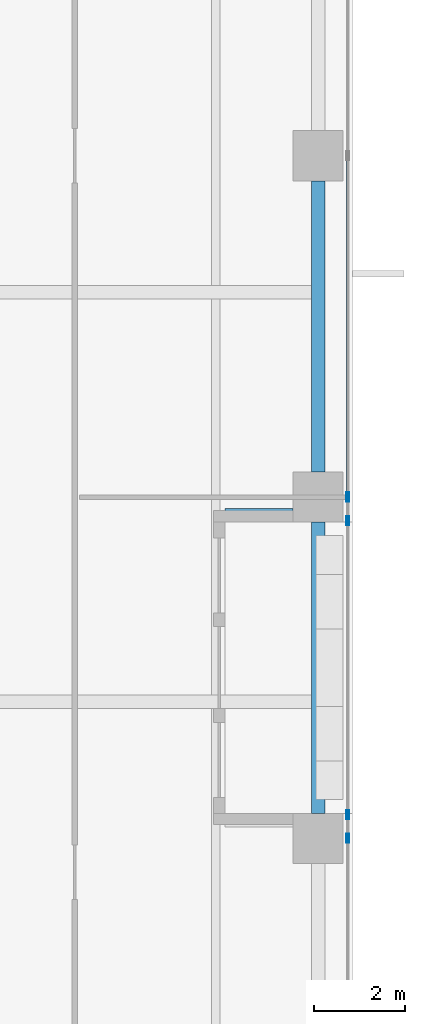
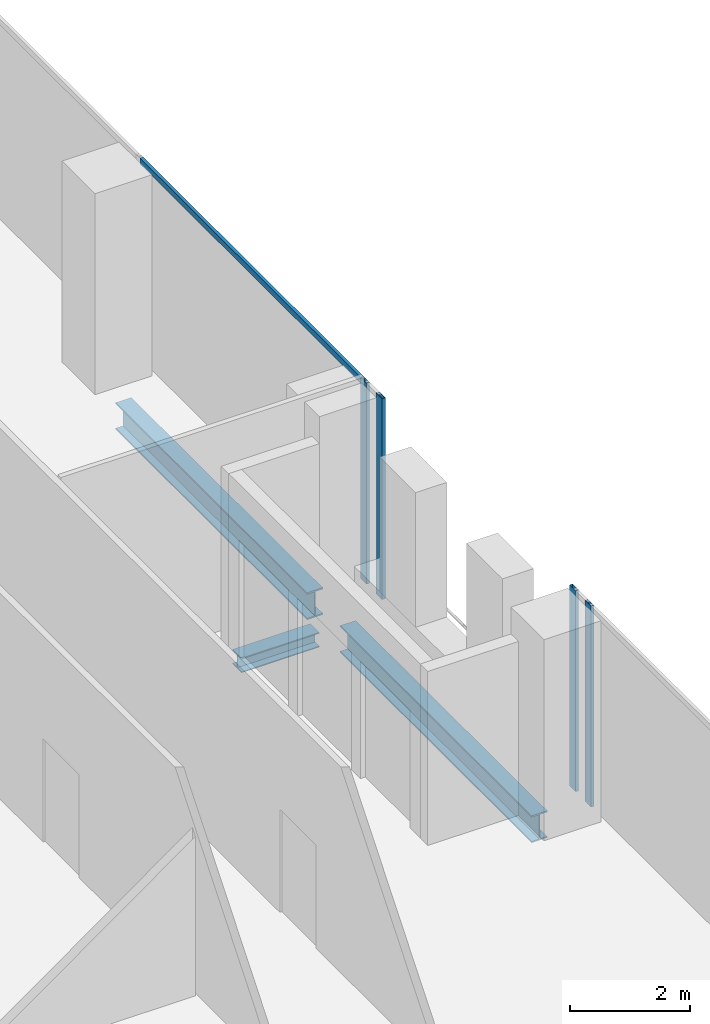
# One storey, part 13 of 34: 5 members, 3 beams, 2 elements without a shape of their own.
"""IFC4 building model written with IfcOpenShell, lengths in metres."""

import ifcopenshell
import ifcopenshell.guid

model = None  # the IFC model being written
_history = None  # IfcOwnerHistory: only IFC2X3 demands one
_inside = {}  # id of a spatial element -> (the spatial element, [elements in it])
_under = {}  # id of a project, library or spatial element -> (it, [spatial elements below it])
_declared = {}  # id of a project -> (the project, [libraries it declares])
_typed = {}  # id of a type object -> (the type object, [elements of that type])
_made_of = {}  # id of a material, layer set ... -> (it, [elements and type objects made of it])


def new_model(schema):
    """Start an empty IFC model of exactly this schema.

    Asked for "IFC4X3", IfcOpenShell would pick the latest addendum, in which some entities
    have other attributes; the version numbers below select the first issue.
    IFC2X3 requires an IfcOwnerHistory on every rooted entity: one is made here for all.
    """
    global model, _history
    if schema == "IFC4X3":
        model = ifcopenshell.file(schema_version=(4, 3, 0, 0))
    else:
        model = ifcopenshell.file(schema=schema)
    _inside.clear()
    _under.clear()
    _declared.clear()
    _typed.clear()
    _made_of.clear()
    _history = None
    if model.schema == "IFC2X3":
        org = make("IfcOrganization", Name="unknown")
        user = make(
            "IfcPersonAndOrganization",
            ThePerson=make("IfcPerson", FamilyName="unknown"),
            TheOrganization=org,
        )
        app = make(
            "IfcApplication",
            ApplicationDeveloper=org,
            Version="unknown",
            ApplicationFullName="unknown",
            ApplicationIdentifier="unknown",
        )
        _history = make(
            "IfcOwnerHistory",
            OwningUser=user,
            OwningApplication=app,
            ChangeAction="ADDED",
            CreationDate=0,
        )
    return model


def make(cls, **values):
    """One entity of the class cls with the attributes given. An attribute that is None is left unset."""
    return model.create_entity(
        cls, **{name: value for name, value in values.items() if value is not None}
    )


def rooted(cls, **values):
    """An entity with a GlobalId (a new one), such as an element, a storey or a relation."""
    return make(cls, GlobalId=ifcopenshell.guid.new(), OwnerHistory=_history, **values)


def si_unit(unit_type, name, prefix=None):
    """IfcSIUnit, for example si_unit("LENGTHUNIT", "METRE", prefix="MILLI")."""
    return make("IfcSIUnit", UnitType=unit_type, Prefix=prefix, Name=name)


def assignment(units):
    """IfcUnitAssignment: the units of a project."""
    return None if units is None else make("IfcUnitAssignment", Units=units)


def point(xyz):
    """IfcCartesianPoint."""
    return None if xyz is None else make("IfcCartesianPoint", Coordinates=xyz)


def direction(xyz):
    """IfcDirection."""
    return None if xyz is None else make("IfcDirection", DirectionRatios=xyz)


def frame(location, z_axis=None, x_axis=None):
    """IfcAxis2Placement3D, a coordinate frame: its origin and axes. An axis left out is left unset."""
    return make(
        "IfcAxis2Placement3D",
        Location=point(location),
        Axis=direction(z_axis),
        RefDirection=direction(x_axis),
    )


def frame_2d(location, x_axis=None):
    """IfcAxis2Placement2D, a coordinate frame in the plane: its origin and x axis."""
    return make(
        "IfcAxis2Placement2D", Location=point(location), RefDirection=direction(x_axis)
    )


def origin():
    """The frame at (0, 0, 0) with its axes left unset."""
    return frame((0.0, 0.0, 0.0))


def origin_2d():
    """The frame at (0, 0) in the plane with its x axis left unset."""
    return frame_2d((0.0, 0.0))


def place(relative_to, where):
    """IfcLocalPlacement: puts the frame where relative to a parent placement (None: the world)."""
    return make(
        "IfcLocalPlacement", PlacementRelTo=relative_to, RelativePlacement=where
    )


def context(
    kind, dimensions, precision=None, world=None, true_north=None, identifier=None
):
    """IfcGeometricRepresentationContext, for example the 3D "Model" context."""
    return make(
        "IfcGeometricRepresentationContext",
        ContextIdentifier=identifier,
        ContextType=kind,
        CoordinateSpaceDimension=dimensions,
        Precision=precision,
        WorldCoordinateSystem=world,
        TrueNorth=true_north,
    )


def subcontext(parent, identifier, kind, view, scale=None):
    """IfcGeometricRepresentationSubContext, for example "Body" below "Model"."""
    return make(
        "IfcGeometricRepresentationSubContext",
        ContextIdentifier=identifier,
        ContextType=kind,
        ParentContext=parent,
        TargetScale=scale,
        TargetView=view,
    )


def project(units=None, contexts=None):
    """IfcProject with its units and contexts."""
    return rooted(
        "IfcProject",
        Name="project",
        RepresentationContexts=contexts,
        UnitsInContext=assignment(units),
    )


def spatial(cls, under=None, at=None, **own):
    """A site, building, storey or space (cls), placed at a placement, below another one or the project."""
    s = rooted(cls, ObjectPlacement=at, **own)
    if under is not None:
        _under.setdefault(under.id(), (under, []))[1].append(s)
    return s


def profile(cls, at=None, kind="AREA", **sizes):
    """A parametric profile (cls). Its sizes go by their IFC names, for example OverallWidth=200.0."""
    return make(cls, ProfileType=kind, Position=at, **sizes)


def hollow_rectangle(**sizes):
    """IfcRectangleHollowProfileDef."""
    return profile("IfcRectangleHollowProfileDef", **sizes)


def i_section(**sizes):
    """IfcIShapeProfileDef."""
    return profile("IfcIShapeProfileDef", **sizes)


def extrude(swept, where, along, depth):
    """IfcExtrudedAreaSolid: the profile swept, set in the frame where, extruded along a direction by depth."""
    return make(
        "IfcExtrudedAreaSolid",
        SweptArea=swept,
        Position=where,
        ExtrudedDirection=direction(along),
        Depth=depth,
    )


def shape(context_of_items, identifier, shape_type, items):
    """IfcShapeRepresentation: the items that make up one representation, for example the "Body"."""
    return make(
        "IfcShapeRepresentation",
        ContextOfItems=context_of_items,
        RepresentationIdentifier=identifier,
        RepresentationType=shape_type,
        Items=items,
    )


def source(mapping_origin, context_of_items, identifier, shape_type, items):
    """IfcRepresentationMap: a shape defined once, which mapped items show again and again."""
    return make(
        "IfcRepresentationMap",
        MappingOrigin=mapping_origin,
        MappedRepresentation=shape(context_of_items, identifier, shape_type, items),
    )


def transform(
    local_origin,
    x_axis=None,
    y_axis=None,
    z_axis=None,
    scale=None,
    scale2=None,
    scale3=None,
    uniform=True,
):
    """IfcCartesianTransformationOperator3D, or its non-uniform kind. x_axis, y_axis, z_axis: its Axis1, 2, 3."""
    if uniform:
        return make(
            "IfcCartesianTransformationOperator3D",
            Axis1=direction(x_axis),
            Axis2=direction(y_axis),
            LocalOrigin=point(local_origin),
            Scale=scale,
            Axis3=direction(z_axis),
        )
    return make(
        "IfcCartesianTransformationOperator3DnonUniform",
        Axis1=direction(x_axis),
        Axis2=direction(y_axis),
        LocalOrigin=point(local_origin),
        Scale=scale,
        Axis3=direction(z_axis),
        Scale2=scale2,
        Scale3=scale3,
    )


def mapped(mapping_source, mapping_target):
    """IfcMappedItem: shows the shape of a source again, moved by a transform."""
    return make(
        "IfcMappedItem", MappingSource=mapping_source, MappingTarget=mapping_target
    )


def material(Name=None, Category=None):
    """IfcMaterial."""
    return make("IfcMaterial", Name=Name, Category=Category)


def material_profile(
    of_material, cross_section, Name=None, Category=None, Priority=None
):
    """IfcMaterialProfile: a cross section and its material."""
    return make(
        "IfcMaterialProfile",
        Name=Name,
        Material=of_material,
        Profile=cross_section,
        Priority=Priority,
        Category=Category,
    )


def profile_set(profiles, Name=None, composite=None):
    """IfcMaterialProfileSet."""
    return make(
        "IfcMaterialProfileSet",
        Name=Name,
        MaterialProfiles=profiles,
        CompositeProfile=composite,
    )


def made_of(thing, what):
    """Note that an element or type object is made of a material, layer set ...; save() writes the relation."""
    if what is not None:
        _made_of.setdefault(what.id(), (what, []))[1].append(thing)
    return thing


def type_object(cls, material=None, **own):
    """A type object (cls), such as IfcWallType, which elements share."""
    return made_of(rooted(cls, **own), material)


def element(
    cls,
    number,
    at=None,
    inside=None,
    cuts=None,
    type_object=None,
    material=None,
    context=None,
    identifier="Body",
    shape_type=None,
    held_by="IfcProductDefinitionShape",
    body=None,
    shapes=None,
    **own,
):
    """One element of the class cls, such as IfcWall. Its Tag is "e" and its number.

    at: its placement. inside: the storey or other place that contains it. cuts: it is an
    opening in that element (IfcRelVoidsElement). A single representation is given by context,
    identifier, shape_type and body (its items); several are given by shapes. held_by: the class
    of the entity that holds the representations. save() writes the other relations.
    """
    e = rooted(cls, Tag="e%d" % number, ObjectPlacement=at, **own)
    if body is not None:
        shapes = [shape(context, identifier, shape_type, body)]
    if shapes is not None:
        e.Representation = make(held_by, Representations=shapes)
    if inside is not None:
        _inside.setdefault(inside.id(), (inside, []))[1].append(e)
    if cuts is not None:
        rooted(
            "IfcRelVoidsElement", RelatingBuildingElement=cuts, RelatedOpeningElement=e
        )
    if type_object is not None:
        _typed.setdefault(type_object.id(), (type_object, []))[1].append(e)
    return made_of(e, material)


def aggregate(whole, parts):
    """IfcRelAggregates: a whole, such as a stair, and the parts it consists of."""
    return rooted("IfcRelAggregates", RelatingObject=whole, RelatedObjects=parts)


def save(model, path):
    """Write the relations noted so far, then the file.

    IfcRelAggregates (storeys below a building ...), IfcRelContainedInSpatialStructure (elements
    in a storey), IfcRelDefinesByType, IfcRelAssociatesMaterial and IfcRelDeclares: one each for
    every whole, place, type object, material and project.
    """
    for whole, parts in _under.values():
        aggregate(whole, parts)
    for where, things in _inside.values():
        rooted(
            "IfcRelContainedInSpatialStructure",
            RelatedElements=things,
            RelatingStructure=where,
        )
    for kind, things in _typed.values():
        rooted("IfcRelDefinesByType", RelatedObjects=things, RelatingType=kind)
    for what, things in _made_of.values():
        rooted("IfcRelAssociatesMaterial", RelatedObjects=things, RelatingMaterial=what)
    for by, libraries in _declared.values():
        rooted("IfcRelDeclares", RelatingContext=by, RelatedDefinitions=libraries)
    model.write(path)


model = new_model("IFC4")

# Units and contexts
model_context = context("Model", 3, precision=1e-05, world=origin(), true_north=direction((0.0, 1.0)))
body_context = subcontext(model_context, "Body", "Model", "MODEL_VIEW")
ifc_project = project(units=[si_unit("LENGTHUNIT", "METRE"), si_unit("AREAUNIT", "SQUARE_METRE"), si_unit("VOLUMEUNIT", "CUBIC_METRE"), si_unit("PLANEANGLEUNIT", "RADIAN"), si_unit("MASSUNIT", "GRAM", prefix="KILO")], contexts=[model_context])

# Site, building, storey
site_placement = place(None, origin())
site = spatial("IfcSite", under=ifc_project, at=site_placement, CompositionType="ELEMENT")
building_placement = place(site_placement, origin())
building = spatial("IfcBuilding", under=site, at=building_placement, Name="Khomas Fold Tower", CompositionType="ELEMENT")
storey_placement = place(building_placement, frame((0.0, 0.0, 105.89990234375)))
storey = spatial("IfcBuildingStorey", under=building, at=storey_placement, Name="L22", CompositionType="ELEMENT", Elevation=105.89990234375)

# Beams
ifc_material_1 = material(Name="Steel S355", Category="steel")
ifc_material_profile_1 = material_profile(ifc_material_1, i_section(OverallWidth=0.300048828125, OverallDepth=0.550048828125, WebThickness=0.014892578125, FlangeThickness=0.029052734375, at=origin_2d()), Name="HE 550 B")
ifc_profile_set_1 = profile_set([ifc_material_profile_1], Name="Steel S355")
beam_type_1 = type_object("IfcBeamType", Name="HE 550 B spandrel SB2", PredefinedType="SPANDREL", material=ifc_profile_set_1)
shared_shape_1 = source(origin(), body_context, "Body", "SweptSolid", [
    extrude(i_section(OverallWidth=0.300048828125, OverallDepth=0.550048828125, WebThickness=0.014892578125, FlangeThickness=0.029052734375, at=origin_2d()), origin(), (0.0, 0.0, 1.0), 6.39990234375),
])
for number, where, z_axis, x_axis, name in (
    (1, (51.75, 20.050048828125, -0.574951171875), (0.0, 1.0, 0.0), (-1.0, 0.0, 0.0), "SB2"),
    (2, (51.75, 27.550048828125, -0.574951171875), (0.0, 1.0, 0.0), (-1.0, 0.0, 0.0), "SB2"),
):
    element("IfcBeam", number, at=place(storey_placement, frame(where, z_axis=z_axis, x_axis=x_axis)), inside=storey, type_object=beam_type_1, Name=name, PredefinedType="SPANDREL", context=body_context, shape_type="MappedRepresentation", body=[
        mapped(shared_shape_1, transform((0.0, 0.0, 0.0))),
    ])
ifc_material_2 = material(Name="Steel S355", Category="steel")
ifc_material_profile_2 = material_profile(ifc_material_2, i_section(OverallWidth=0.300048828125, OverallDepth=0.300048828125, WebThickness=0.010986328125, FlangeThickness=0.01904296875, at=origin_2d()), Name="HE 300 B")
ifc_profile_set_2 = profile_set([ifc_material_profile_2], Name="Steel S355")
beam_type_2 = type_object("IfcBeamType", Name="HE 300 B beam BB1", PredefinedType="BEAM", material=ifc_profile_set_2)
shared_shape_2 = source(origin(), body_context, "Body", "SweptSolid", [
    extrude(i_section(OverallWidth=0.300048828125, OverallDepth=0.300048828125, WebThickness=0.010986328125, FlangeThickness=0.01904296875, at=origin_2d()), origin(), (0.0, 0.0, 1.0), 1.5),
])
beam_placement = place(storey_placement, frame((49.699951171875, 26.60009765625, -0.449951171875), z_axis=(1.0, 0.0, 0.0), x_axis=(0.0, 1.0, 0.0)))
element("IfcBeam", 3, at=beam_placement, inside=storey, type_object=beam_type_2, Name="BB1", PredefinedType="BEAM", context=body_context, shape_type="MappedRepresentation", body=[
    mapped(shared_shape_2, transform((0.0, 0.0, 0.0))),
])

# Curtain wall, member
ifc_material_3 = material(Name="Aluminium framed double glazing", Category="aluminium")
curtain_wall_type = type_object("IfcCurtainWallType", Name="SK-Unitised clear-glass wall, growing floors CW1", PredefinedType="NOTDEFINED", material=ifc_material_3)
curtain_wall_1_placement = place(storey_placement, origin())
curtain_wall_1 = element("IfcCurtainWall", 4, at=curtain_wall_1_placement, inside=storey, type_object=curtain_wall_type, Name="CW1 run L22 03-1", PredefinedType="NOTDEFINED")
ifc_material_4 = material(Name="Aluminium", Category="aluminium")
ifc_material_profile_3 = material_profile(ifc_material_4, hollow_rectangle(XDim=0.06005859375, YDim=0.1201171875, WallThickness=0.00390625, at=origin_2d()), Name="SK-Unitised clear-glass wall, growing floors transom CW1-T")
ifc_profile_set_3 = profile_set([ifc_material_profile_3], Name="Aluminium")
member_type_1 = type_object("IfcMemberType", Name="SK-Unitised clear-glass wall, growing floors transom CW1-T", PredefinedType="USERDEFINED", material=ifc_profile_set_3)
shared_shape_3 = source(origin(), body_context, "Body", "SweptSolid", [
    extrude(hollow_rectangle(XDim=0.06005859375, YDim=0.1201171875, WallThickness=0.00390625, at=origin_2d()), origin(), (0.0, 0.0, 1.0), 7.43994140625),
])
member_1_placement = place(storey_placement, frame((52.39990234375, 27.030029296875, 4.0400390625), z_axis=(0.0, 1.0, 0.0), x_axis=(-1.0, 0.0, 0.0)))
member_1 = element("IfcMember", 5, at=member_1_placement, type_object=member_type_1, Name="CW1 transom 2", ObjectType="TRANSOM", PredefinedType="USERDEFINED", context=body_context, shape_type="MappedRepresentation", body=[
    mapped(shared_shape_3, transform((0.0, 0.0, 0.0))),
])

# Curtain wall, members
curtain_wall_2_placement = place(storey_placement, origin())
curtain_wall_2 = element("IfcCurtainWall", 6, at=curtain_wall_2_placement, inside=storey, type_object=curtain_wall_type, Name="CW1 run L22 03-0", PredefinedType="NOTDEFINED")
ifc_material_5 = material(Name="Aluminium", Category="aluminium")
ifc_material_profile_4 = material_profile(ifc_material_5, hollow_rectangle(XDim=0.06005859375, YDim=0.199951171875, WallThickness=0.00390625, at=origin_2d()), Name="SK-Unitised clear-glass wall, growing floors mullion CW1-M")
ifc_profile_set_4 = profile_set([ifc_material_profile_4], Name="Aluminium")
member_type_2 = type_object("IfcMemberType", Name="SK-Unitised clear-glass wall, growing floors mullion CW1-M", PredefinedType="MULLION", material=ifc_profile_set_4)
shared_shape_4 = source(origin(), body_context, "Body", "SweptSolid", [
    extrude(hollow_rectangle(XDim=0.06005859375, YDim=0.199951171875, WallThickness=0.00390625, at=origin_2d()), origin(), (0.0, 0.0, 1.0), 4.10009765625),
])
member_2_placement = place(storey_placement, frame((52.39990234375, 19.5, 0.0), z_axis=(0.0, 0.0, 1.0), x_axis=(-1.0, 0.0, 0.0)))
member_2 = element("IfcMember", 7, at=member_2_placement, type_object=member_type_2, Name="CW1 mullion 4", PredefinedType="MULLION", context=body_context, shape_type="MappedRepresentation", body=[
    mapped(shared_shape_4, transform((0.0, 0.0, 0.0))),
])
member_3_placement = place(storey_placement, frame((52.39990234375, 20.02001953125, 0.0), z_axis=(0.0, 0.0, 1.0), x_axis=(-1.0, 0.0, 0.0)))
member_3 = element("IfcMember", 8, at=member_3_placement, type_object=member_type_2, Name="CW1 mullion 5", PredefinedType="MULLION", context=body_context, shape_type="MappedRepresentation", body=[
    mapped(shared_shape_4, transform((0.0, 0.0, 0.0))),
])
aggregate(curtain_wall_2, [member_2, member_3])

# Member
member_4_placement = place(storey_placement, frame((52.39990234375, 26.47998046875, 0.0), z_axis=(0.0, 0.0, 1.0), x_axis=(-1.0, 0.0, 0.0)))
member_4 = element("IfcMember", 9, at=member_4_placement, type_object=member_type_2, Name="CW1 mullion 1", PredefinedType="MULLION", context=body_context, shape_type="MappedRepresentation", body=[
    mapped(shared_shape_4, transform((0.0, 0.0, 0.0))),
])

member_5_placement = place(storey_placement, frame((52.39990234375, 27.0, 0.0), z_axis=(0.0, 0.0, 1.0), x_axis=(-1.0, 0.0, 0.0)))
member_5 = element("IfcMember", 10, at=member_5_placement, type_object=member_type_2, Name="CW1 mullion 2", PredefinedType="MULLION", context=body_context, shape_type="MappedRepresentation", body=[
    mapped(shared_shape_4, transform((0.0, 0.0, 0.0))),
])

aggregate(curtain_wall_1, [member_4, member_5, member_1])

save(model, "model.ifc")
